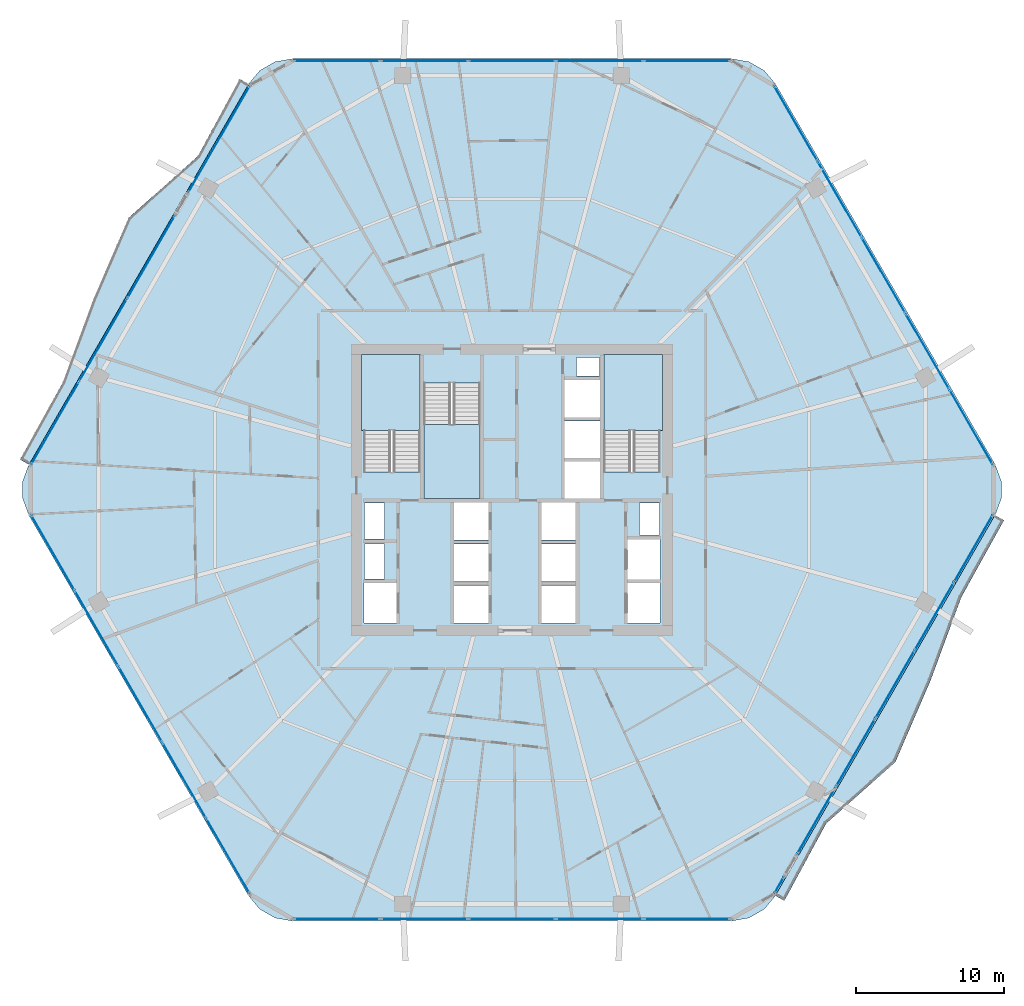
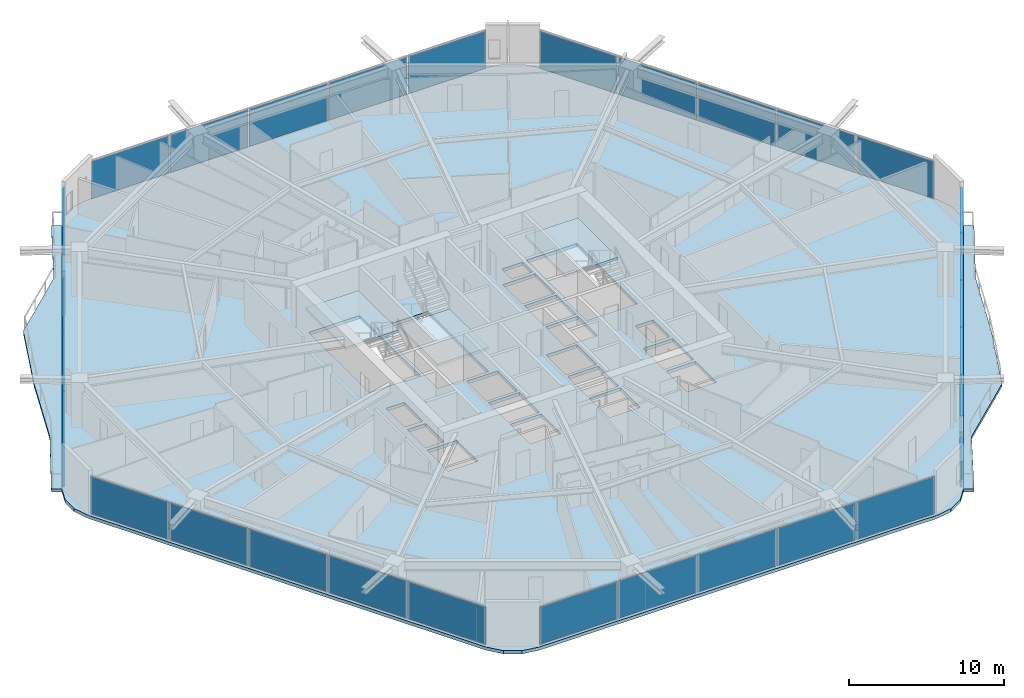
# One storey, part 23 of 33: 30 plates, 6 slabs, 11 elements without a shape of their own.
"""IFC4 building model written with IfcOpenShell, lengths in metres."""

from ifc_helpers import new_model, si_unit, direction, frame, origin, origin_2d, place, context, subcontext, project, spatial, polyline, rectangle, outline, extrude, material, layer, layer_set, type_object, element, aggregate, save


model = new_model("IFC4")

# Units and contexts
model_context = context("Model", 3, precision=1e-05, world=origin(), true_north=direction((0.0, 1.0)))
body_context = subcontext(model_context, "Body", "Model", "MODEL_VIEW")
ifc_project = project(units=[si_unit("LENGTHUNIT", "METRE"), si_unit("AREAUNIT", "SQUARE_METRE"), si_unit("VOLUMEUNIT", "CUBIC_METRE"), si_unit("PLANEANGLEUNIT", "RADIAN"), si_unit("MASSUNIT", "GRAM", prefix="KILO")], contexts=[model_context])

# Site, building, storey
site_placement = place(None, origin())
site = spatial("IfcSite", under=ifc_project, at=site_placement, CompositionType="ELEMENT")
building_placement = place(site_placement, origin())
building = spatial("IfcBuilding", under=site, at=building_placement, Name="Zuhravey Tower", CompositionType="ELEMENT")
storey_placement = place(building_placement, frame((0.0, 0.0, 96.199951171875)))
storey = spatial("IfcBuildingStorey", under=building, at=storey_placement, Name="L23", CompositionType="ELEMENT", Elevation=96.199951171875)

# Slabs
ifc_material_1 = material(Name="Concrete C50/60", Category="concrete")
ifc_layer_1 = layer(ifc_material_1, 0.25)
ifc_layer_set_1 = layer_set([ifc_layer_1], Name="Concrete C50/60")
slab_type_1 = type_object("IfcSlabType", Name="Residential Acoustic Slab 250", PredefinedType="FLOOR", material=ifc_layer_set_1)
slab_1_placement = place(storey_placement, frame((0.0, 0.0, -0.25)))
element("IfcSlab", 1, at=slab_1_placement, inside=storey, type_object=slab_type_1, Name="L23 Floor Slab FS25", PredefinedType="FLOOR", context=body_context, shape_type="SweptSolid", body=[
    extrude(outline(polyline([(68.618408203125, 30.300048828125), (69.0224609375, 31.40966796875), (69.0224609375, 32.59033203125), (68.618408203125, 33.699951171875), (53.781494140625, 59.3984375), (53.0224609375, 60.302978515625), (52.0, 60.893310546875), (50.8369140625, 61.098388671875), (21.1630859375, 61.098388671875), (20.0, 60.893310546875), (18.9775390625, 60.302978515625), (18.218505859375, 59.3984375), (3.381591796875, 33.699951171875), (2.9775390625, 32.59033203125), (2.9775390625, 31.40966796875), (3.381591796875, 30.300048828125), (18.218505859375, 4.6015625), (18.9775390625, 3.697021484375), (20.0, 3.106689453125), (21.1630859375, 2.901611328125), (50.8369140625, 2.901611328125), (52.0, 3.106689453125), (53.0224609375, 3.697021484375), (53.781494140625, 4.6015625), (68.618408203125, 30.300048828125)]), holes=[polyline([(29.800048828125, 33.20068359375), (29.800048828125, 41.0), (26.0, 41.0), (26.0, 33.20068359375), (29.800048828125, 33.20068359375)]), polyline([(46.0, 33.20068359375), (46.0, 41.0), (42.199951171875, 41.0), (42.199951171875, 33.20068359375), (46.0, 33.20068359375)]), polyline([(30.050048828125, 39.199462890625), (30.050048828125, 31.39990234375), (33.85009765625, 31.39990234375), (33.85009765625, 39.199462890625), (30.050048828125, 39.199462890625)]), polyline([(32.10009765625, 23.0), (34.39990234375, 23.0), (34.39990234375, 25.550048828125), (32.10009765625, 25.550048828125), (32.10009765625, 23.0)]), polyline([(32.10009765625, 25.800048828125), (34.39990234375, 25.800048828125), (34.39990234375, 28.35009765625), (32.10009765625, 28.35009765625), (32.10009765625, 25.800048828125)]), polyline([(32.10009765625, 28.60009765625), (34.39990234375, 28.60009765625), (34.39990234375, 31.14990234375), (32.10009765625, 31.14990234375), (32.10009765625, 28.60009765625)]), polyline([(38.0, 23.0), (40.300048828125, 23.0), (40.300048828125, 25.550048828125), (38.0, 25.550048828125), (38.0, 23.0)]), polyline([(38.0, 25.800048828125), (40.300048828125, 25.800048828125), (40.300048828125, 28.35009765625), (38.0, 28.35009765625), (38.0, 25.800048828125)]), polyline([(38.0, 28.60009765625), (40.300048828125, 28.60009765625), (40.300048828125, 31.14990234375), (38.0, 31.14990234375), (38.0, 28.60009765625)]), polyline([(39.550048828125, 31.39990234375), (41.949951171875, 31.39990234375), (41.949951171875, 33.89990234375), (39.550048828125, 33.89990234375), (39.550048828125, 31.39990234375)]), polyline([(39.550048828125, 34.14990234375), (41.949951171875, 34.14990234375), (41.949951171875, 36.64990234375), (39.550048828125, 36.64990234375), (39.550048828125, 34.14990234375)]), polyline([(39.550048828125, 36.89990234375), (41.949951171875, 36.89990234375), (41.949951171875, 39.39990234375), (39.550048828125, 39.39990234375), (39.550048828125, 36.89990234375)]), polyline([(26.0, 23.0), (28.199951171875, 23.0), (28.199951171875, 25.699951171875), (26.0, 25.699951171875), (26.0, 23.0)]), polyline([(43.800048828125, 23.0), (46.0, 23.0), (46.0, 25.699951171875), (43.800048828125, 25.699951171875), (43.800048828125, 23.0)]), polyline([(43.800048828125, 25.949951171875), (46.0, 25.949951171875), (46.0, 28.64990234375), (43.800048828125, 28.64990234375), (43.800048828125, 25.949951171875)]), polyline([(26.050048828125, 26.0), (27.39990234375, 26.0), (27.39990234375, 28.35009765625), (26.050048828125, 28.35009765625), (26.050048828125, 26.0)]), polyline([(26.050048828125, 28.699951171875), (27.39990234375, 28.699951171875), (27.39990234375, 31.10009765625), (26.050048828125, 31.10009765625), (26.050048828125, 28.699951171875)]), polyline([(44.60009765625, 28.949951171875), (45.949951171875, 28.949951171875), (45.949951171875, 31.10009765625), (44.60009765625, 31.10009765625), (44.60009765625, 28.949951171875)]), polyline([(40.35009765625, 39.699951171875), (41.89990234375, 39.699951171875), (41.89990234375, 40.949951171875), (40.35009765625, 40.949951171875), (40.35009765625, 39.699951171875)])]), origin(), (0.0, 0.0, 1.0), 0.25),
])
ifc_material_2 = material(Name="Concrete C40/50", Category="concrete")
ifc_layer_2 = layer(ifc_material_2, 0.219970703125)
ifc_layer_set_2 = layer_set([ifc_layer_2], Name="Concrete C40/50")
slab_type_2 = type_object("IfcSlabType", Name="Sinusoidal Residential Wave Balcony 220", PredefinedType="FLOOR", material=ifc_layer_set_2)
slab_2_placement = place(storey_placement, frame((0.0, 0.0, -0.219970703125)))
element("IfcSlab", 2, at=slab_2_placement, inside=storey, type_object=slab_type_2, Name="L23 Face 6 Wave Balcony WB22", PredefinedType="FLOOR", context=body_context, shape_type="SweptSolid", body=[
    extrude(outline(polyline([(53.772705078125, 4.616455078125), (68.601318359375, 30.300048828125), (69.20751953125, 29.949951171875), (66.328857421875, 24.762939453125), (64.241943359375, 19.118896484375), (61.876220703125, 13.6357421875), (57.20654296875, 9.48291015625), (54.37890625, 4.2666015625), (53.772705078125, 4.616455078125)])), origin(), (0.0, 0.0, 1.0), 0.219970703125),
])
slab_3_placement = place(storey_placement, frame((0.0, 0.0, -0.219970703125)))
element("IfcSlab", 3, at=slab_3_placement, inside=storey, type_object=slab_type_2, Name="L23 Face 3 Wave Balcony WB22", PredefinedType="FLOOR", context=body_context, shape_type="SweptSolid", body=[
    extrude(outline(polyline([(18.227294921875, 59.383544921875), (3.398681640625, 33.699951171875), (2.79248046875, 34.050048828125), (5.671142578125, 39.237060546875), (7.758056640625, 44.881103515625), (10.123779296875, 50.3642578125), (14.79345703125, 54.51708984375), (17.62109375, 59.7333984375), (18.227294921875, 59.383544921875)])), origin(), (0.0, 0.0, 1.0), 0.219970703125),
])

# Stair, slab
stair_type = type_object("IfcStairType", Name="Housing Storey Stair Assembly 3800", PredefinedType="HALF_TURN_STAIR", material=ifc_material_2)
stair_1_placement = place(storey_placement, origin())
stair_1 = element("IfcStair", 4, at=stair_1_placement, inside=storey, type_object=stair_type, Name="L23 Core Exit Stair ST1", PredefinedType="HALF_TURN_STAIR")
ifc_layer_3 = layer(ifc_material_2, 0.199951171875)
ifc_layer_set_3 = layer_set([ifc_layer_3], Name="Concrete C40/50")
slab_type_3 = type_object("IfcSlabType", Name="Stair Landing Slab 200", PredefinedType="LANDING", material=ifc_layer_set_3)
slab_4_placement = place(storey_placement, frame((0.0, 0.0, 1.699951171875)))
slab_4 = element("IfcSlab", 5, at=slab_4_placement, type_object=slab_type_3, Name="ST1 landing 1", PredefinedType="LANDING", context=body_context, shape_type="SweptSolid", body=[
    extrude(outline(polyline([(29.800048828125, 36.0), (29.800048828125, 41.14794921875), (25.85205078125, 41.14794921875), (25.85205078125, 36.0), (29.800048828125, 36.0)])), origin(), (0.0, 0.0, 1.0), 0.2001953125),
])
aggregate(stair_1, [slab_4])

stair_2_placement = place(storey_placement, origin())
stair_2 = element("IfcStair", 6, at=stair_2_placement, inside=storey, type_object=stair_type, Name="L23 Core Exit Stair ST2", PredefinedType="HALF_TURN_STAIR")
slab_5_placement = place(storey_placement, frame((0.0, 0.0, 1.699951171875)))
slab_5 = element("IfcSlab", 7, at=slab_5_placement, type_object=slab_type_3, Name="ST2 landing 1", PredefinedType="LANDING", context=body_context, shape_type="SweptSolid", body=[
    extrude(outline(polyline([(46.14794921875, 36.0), (46.14794921875, 41.14794921875), (42.199951171875, 41.14794921875), (42.199951171875, 36.0), (46.14794921875, 36.0)])), origin(), (0.0, 0.0, 1.0), 0.2001953125),
])
aggregate(stair_2, [slab_5])

stair_3_placement = place(storey_placement, origin())
stair_3 = element("IfcStair", 8, at=stair_3_placement, inside=storey, type_object=stair_type, Name="L23 Core Exit Stair ST3", PredefinedType="HALF_TURN_STAIR")
slab_6_placement = place(storey_placement, frame((0.0, 0.0, 1.699951171875)))
slab_6 = element("IfcSlab", 9, at=slab_6_placement, type_object=slab_type_3, Name="ST3 landing 1", PredefinedType="LANDING", context=body_context, shape_type="SweptSolid", body=[
    extrude(outline(polyline([(30.050048828125, 36.39990234375), (30.050048828125, 31.39990234375), (33.85009765625, 31.39990234375), (33.85009765625, 36.39990234375), (30.050048828125, 36.39990234375)])), origin(), (0.0, 0.0, 1.0), 0.2001953125),
])
aggregate(stair_3, [slab_6])

# Curtain wall, plates
ifc_material_3 = material(Name="Thermally broken anodised aluminium", Category="aluminium")
curtain_wall_type = type_object("IfcCurtainWallType", Name="Zone 1-2 Residential Curtain Wall CW3", PredefinedType="NOTDEFINED", material=ifc_material_3)
curtain_wall_1_placement = place(storey_placement, origin())
curtain_wall_1 = element("IfcCurtainWall", 10, at=curtain_wall_1_placement, inside=storey, type_object=curtain_wall_type, Name="L23 CW3 CW-L23-F6-1", PredefinedType="NOTDEFINED")
ifc_material_4 = material(Name="Triple low-E insulated vision glass", Category="glass")
ifc_layer_4 = layer(ifc_material_4, 0.0419921875)
ifc_layer_set_4 = layer_set([ifc_layer_4], Name="Triple low-E insulated vision glass")
plate_type = type_object("IfcPlateType", Name="Triple Low-E Vision Panel", PredefinedType="CURTAIN_PANEL", material=ifc_layer_set_4)
plate_1_placement = place(storey_placement, frame((67.14208984375, 28.022705078125, 0.090087890625), z_axis=(0.0, 0.0, 1.0), x_axis=(-0.500000171661, -0.866025304676, 0.0)))
plate_1 = element("IfcPlate", 11, at=plate_1_placement, type_object=plate_type, Name="CW3 panel 1.1", PredefinedType="CURTAIN_PANEL", context=body_context, shape_type="SweptSolid", body=[
    extrude(rectangle(XDim=5.165771484375, YDim=0.0419921875, at=origin_2d()), origin(), (0.0, 0.0, 1.0), 2.94189453125),
])
plate_2_placement = place(storey_placement, frame((64.5029296875, 23.451416015625, 0.090087890625), z_axis=(0.0, 0.0, 1.0), x_axis=(-0.500000171661, -0.866025304676, 0.0)))
plate_2 = element("IfcPlate", 12, at=plate_2_placement, type_object=plate_type, Name="CW3 panel 2.1", PredefinedType="CURTAIN_PANEL", context=body_context, shape_type="SweptSolid", body=[
    extrude(rectangle(XDim=5.2109375, YDim=0.0419921875, at=origin_2d()), origin(), (0.0, 0.0, 1.0), 2.94189453125),
])
plate_3_placement = place(storey_placement, frame((61.8525390625, 18.86083984375, 0.090087890625), z_axis=(0.0, 0.0, 1.0), x_axis=(-0.500000171661, -0.866025304676, 0.0)))
plate_3 = element("IfcPlate", 13, at=plate_3_placement, type_object=plate_type, Name="CW3 panel 3.1", PredefinedType="CURTAIN_PANEL", context=body_context, shape_type="SweptSolid", body=[
    extrude(rectangle(XDim=5.2109375, YDim=0.0419921875, at=origin_2d()), origin(), (0.0, 0.0, 1.0), 2.94189453125),
])
plate_4_placement = place(storey_placement, frame((59.2021484375, 14.270263671875, 0.090087890625), z_axis=(0.0, 0.0, 1.0), x_axis=(-0.500000171661, -0.866025304676, 0.0)))
plate_4 = element("IfcPlate", 14, at=plate_4_placement, type_object=plate_type, Name="CW3 panel 4.1", PredefinedType="CURTAIN_PANEL", context=body_context, shape_type="SweptSolid", body=[
    extrude(rectangle(XDim=5.2109375, YDim=0.0419921875, at=origin_2d()), origin(), (0.0, 0.0, 1.0), 2.94189453125),
])
plate_5_placement = place(storey_placement, frame((56.562744140625, 9.698974609375, 0.090087890625), z_axis=(0.0, 0.0, 1.0), x_axis=(-0.500000171661, -0.866025304676, 0.0)))
plate_5 = element("IfcPlate", 15, at=plate_5_placement, type_object=plate_type, Name="CW3 panel 5.1", PredefinedType="CURTAIN_PANEL", context=body_context, shape_type="SweptSolid", body=[
    extrude(rectangle(XDim=5.165771484375, YDim=0.0419921875, at=origin_2d()), origin(), (0.0, 0.0, 1.0), 2.94189453125),
])
aggregate(curtain_wall_1, [plate_1, plate_2, plate_3, plate_4, plate_5])

# Curtain wall, plate
curtain_wall_2_placement = place(storey_placement, origin())
curtain_wall_2 = element("IfcCurtainWall", 16, at=curtain_wall_2_placement, inside=storey, type_object=curtain_wall_type, Name="L23 CW3 CW-L23-F6-2", PredefinedType="NOTDEFINED")
plate_6_placement = place(storey_placement, frame((54.027587890625, 5.307861328125, 0.090087890625), z_axis=(0.0, 0.0, 1.0), x_axis=(-0.500010006894, -0.866019626224, 0.0)))
plate_6 = element("IfcPlate", 17, at=plate_6_placement, type_object=plate_type, Name="CW3 panel 1.1", PredefinedType="CURTAIN_PANEL", context=body_context, shape_type="SweptSolid", body=[
    extrude(rectangle(XDim=1.21484375, YDim=0.0419921875, at=origin_2d()), origin(), (0.0, 0.0, 1.0), 2.94189453125),
])
aggregate(curtain_wall_2, [plate_6])

# Curtain wall, plates
curtain_wall_3_placement = place(storey_placement, origin())
curtain_wall_3 = element("IfcCurtainWall", 18, at=curtain_wall_3_placement, inside=storey, type_object=curtain_wall_type, Name="L23 CW3 CW-L23-F5-1", PredefinedType="NOTDEFINED")
plate_7_placement = place(storey_placement, frame((47.817138671875, 3.04150390625, 0.090087890625), z_axis=(0.0, 0.0, 1.0), x_axis=(-1.0, 0.0, 0.0)))
plate_7 = element("IfcPlate", 19, at=plate_7_placement, type_object=plate_type, Name="CW3 panel 1.1", PredefinedType="CURTAIN_PANEL", context=body_context, shape_type="SweptSolid", body=[
    extrude(rectangle(XDim=5.784912109375, YDim=0.0419921875, at=origin_2d()), origin(), (0.0, 0.0, 1.0), 2.94189453125),
])
plate_8_placement = place(storey_placement, frame((41.919921875, 3.04150390625, 0.090087890625), z_axis=(0.0, 0.0, 1.0), x_axis=(-1.0, 0.0, 0.0)))
plate_8 = element("IfcPlate", 20, at=plate_8_placement, type_object=plate_type, Name="CW3 panel 2.1", PredefinedType="CURTAIN_PANEL", context=body_context, shape_type="SweptSolid", body=[
    extrude(rectangle(XDim=5.829833984375, YDim=0.0419921875, at=origin_2d()), origin(), (0.0, 0.0, 1.0), 2.94189453125),
])
plate_9_placement = place(storey_placement, frame((36.0, 3.04150390625, 0.090087890625), z_axis=(0.0, 0.0, 1.0), x_axis=(-1.0, 0.0, 0.0)))
plate_9 = element("IfcPlate", 21, at=plate_9_placement, type_object=plate_type, Name="CW3 panel 3.1", PredefinedType="CURTAIN_PANEL", context=body_context, shape_type="SweptSolid", body=[
    extrude(rectangle(XDim=5.829833984375, YDim=0.0419921875, at=origin_2d()), origin(), (0.0, 0.0, 1.0), 2.94189453125),
])
plate_10_placement = place(storey_placement, frame((30.080078125, 3.04150390625, 0.090087890625), z_axis=(0.0, 0.0, 1.0), x_axis=(-1.0, 0.0, 0.0)))
plate_10 = element("IfcPlate", 22, at=plate_10_placement, type_object=plate_type, Name="CW3 panel 4.1", PredefinedType="CURTAIN_PANEL", context=body_context, shape_type="SweptSolid", body=[
    extrude(rectangle(XDim=5.829833984375, YDim=0.0419921875, at=origin_2d()), origin(), (0.0, 0.0, 1.0), 2.94189453125),
])
plate_11_placement = place(storey_placement, frame((24.182861328125, 3.04150390625, 0.090087890625), z_axis=(0.0, 0.0, 1.0), x_axis=(-1.0, 0.0, 0.0)))
plate_11 = element("IfcPlate", 23, at=plate_11_placement, type_object=plate_type, Name="CW3 panel 5.1", PredefinedType="CURTAIN_PANEL", context=body_context, shape_type="SweptSolid", body=[
    extrude(rectangle(XDim=5.784912109375, YDim=0.0419921875, at=origin_2d()), origin(), (0.0, 0.0, 1.0), 2.94189453125),
])
aggregate(curtain_wall_3, [plate_7, plate_8, plate_9, plate_10, plate_11])

curtain_wall_4_placement = place(storey_placement, origin())
curtain_wall_4 = element("IfcCurtainWall", 24, at=curtain_wall_4_placement, inside=storey, type_object=curtain_wall_type, Name="L23 CW3 CW-L23-F4-1", PredefinedType="NOTDEFINED")
plate_12_placement = place(storey_placement, frame((16.829833984375, 7.286865234375, 0.090087890625), z_axis=(0.0, 0.0, 1.0), x_axis=(-0.499999794119, 0.86602552265, 0.0)))
plate_12 = element("IfcPlate", 25, at=plate_12_placement, type_object=plate_type, Name="CW3 panel 1.1", PredefinedType="CURTAIN_PANEL", context=body_context, shape_type="SweptSolid", body=[
    extrude(rectangle(XDim=5.784912109375, YDim=0.0419921875, at=origin_2d()), origin(), (0.0, 0.0, 1.0), 2.94189453125),
])
plate_13_placement = place(storey_placement, frame((13.881103515625, 12.39404296875, 0.090087890625), z_axis=(0.0, 0.0, 1.0), x_axis=(-0.499999794119, 0.86602552265, 0.0)))
plate_13 = element("IfcPlate", 26, at=plate_13_placement, type_object=plate_type, Name="CW3 panel 2.1", PredefinedType="CURTAIN_PANEL", context=body_context, shape_type="SweptSolid", body=[
    extrude(rectangle(XDim=5.829833984375, YDim=0.0419921875, at=origin_2d()), origin(), (0.0, 0.0, 1.0), 2.94189453125),
])
plate_14_placement = place(storey_placement, frame((10.921142578125, 17.520751953125, 0.090087890625), z_axis=(0.0, 0.0, 1.0), x_axis=(-0.499999794119, 0.86602552265, 0.0)))
plate_14 = element("IfcPlate", 27, at=plate_14_placement, type_object=plate_type, Name="CW3 panel 3.1", PredefinedType="CURTAIN_PANEL", context=body_context, shape_type="SweptSolid", body=[
    extrude(rectangle(XDim=5.829833984375, YDim=0.0419921875, at=origin_2d()), origin(), (0.0, 0.0, 1.0), 2.94189453125),
])
plate_15_placement = place(storey_placement, frame((7.96142578125, 22.6474609375, 0.090087890625), z_axis=(0.0, 0.0, 1.0), x_axis=(-0.499999794119, 0.86602552265, 0.0)))
plate_15 = element("IfcPlate", 28, at=plate_15_placement, type_object=plate_type, Name="CW3 panel 4.1", PredefinedType="CURTAIN_PANEL", context=body_context, shape_type="SweptSolid", body=[
    extrude(rectangle(XDim=5.829833984375, YDim=0.0419921875, at=origin_2d()), origin(), (0.0, 0.0, 1.0), 2.94189453125),
])
plate_16_placement = place(storey_placement, frame((5.0126953125, 27.754638671875, 0.090087890625), z_axis=(0.0, 0.0, 1.0), x_axis=(-0.499999794119, 0.86602552265, 0.0)))
plate_16 = element("IfcPlate", 29, at=plate_16_placement, type_object=plate_type, Name="CW3 panel 5.1", PredefinedType="CURTAIN_PANEL", context=body_context, shape_type="SweptSolid", body=[
    extrude(rectangle(XDim=5.784912109375, YDim=0.0419921875, at=origin_2d()), origin(), (0.0, 0.0, 1.0), 2.94189453125),
])
aggregate(curtain_wall_4, [plate_12, plate_13, plate_14, plate_15, plate_16])

curtain_wall_5_placement = place(storey_placement, origin())
curtain_wall_5 = element("IfcCurtainWall", 30, at=curtain_wall_5_placement, inside=storey, type_object=curtain_wall_type, Name="L23 CW3 CW-L23-F3-1", PredefinedType="NOTDEFINED")
plate_17_placement = place(storey_placement, frame((5.15771484375, 36.49658203125, 0.090087890625), z_axis=(0.0, 0.0, 1.0), x_axis=(0.50000049228, 0.866025119566, 0.0)))
plate_17 = element("IfcPlate", 31, at=plate_17_placement, type_object=plate_type, Name="CW3 panel 1.1", PredefinedType="CURTAIN_PANEL", context=body_context, shape_type="SweptSolid", body=[
    extrude(rectangle(XDim=6.364990234375, YDim=0.0419921875, at=origin_2d()), origin(), (0.0, 0.0, 1.0), 2.94189453125),
])
plate_18_placement = place(storey_placement, frame((8.396484375, 42.106201171875, 0.090087890625), z_axis=(0.0, 0.0, 1.0), x_axis=(0.50000049228, 0.866025119566, 0.0)))
plate_18 = element("IfcPlate", 32, at=plate_18_placement, type_object=plate_type, Name="CW3 panel 2.1", PredefinedType="CURTAIN_PANEL", context=body_context, shape_type="SweptSolid", body=[
    extrude(rectangle(XDim=6.409912109375, YDim=0.0419921875, at=origin_2d()), origin(), (0.0, 0.0, 1.0), 2.94189453125),
])
plate_19_placement = place(storey_placement, frame((11.63525390625, 47.7158203125, 0.090087890625), z_axis=(0.0, 0.0, 1.0), x_axis=(0.50000049228, 0.866025119566, 0.0)))
plate_19 = element("IfcPlate", 33, at=plate_19_placement, type_object=plate_type, Name="CW3 panel 3.1", PredefinedType="CURTAIN_PANEL", context=body_context, shape_type="SweptSolid", body=[
    extrude(rectangle(XDim=6.364990234375, YDim=0.0419921875, at=origin_2d()), origin(), (0.0, 0.0, 1.0), 2.94189453125),
])
aggregate(curtain_wall_5, [plate_17, plate_18, plate_19])

# Curtain wall, plate
curtain_wall_6_placement = place(storey_placement, origin())
curtain_wall_6 = element("IfcCurtainWall", 34, at=curtain_wall_6_placement, inside=storey, type_object=curtain_wall_type, Name="L23 CW3 CW-L23-F3-2", PredefinedType="NOTDEFINED")
plate_20_placement = place(storey_placement, frame((16.22119140625, 55.658935546875, 0.090087890625), z_axis=(0.0, 0.0, 1.0), x_axis=(0.500001060543, 0.866024791479, 0.0)))
plate_20 = element("IfcPlate", 35, at=plate_20_placement, type_object=plate_type, Name="CW3 panel 1.1", PredefinedType="CURTAIN_PANEL", context=body_context, shape_type="SweptSolid", body=[
    extrude(rectangle(XDim=8.21923828125, YDim=0.0419921875, at=origin_2d()), origin(), (0.0, 0.0, 1.0), 2.94189453125),
])
aggregate(curtain_wall_6, [plate_20])

# Curtain wall, plates
curtain_wall_7_placement = place(storey_placement, origin())
curtain_wall_7 = element("IfcCurtainWall", 36, at=curtain_wall_7_placement, inside=storey, type_object=curtain_wall_type, Name="L23 CW3 CW-L23-F2-1", PredefinedType="NOTDEFINED")
plate_21_placement = place(storey_placement, frame((24.182861328125, 60.95849609375, 0.090087890625), z_axis=(0.0, 0.0, 1.0), x_axis=(1.0, 0.0, 0.0)))
plate_21 = element("IfcPlate", 37, at=plate_21_placement, type_object=plate_type, Name="CW3 panel 1.1", PredefinedType="CURTAIN_PANEL", context=body_context, shape_type="SweptSolid", body=[
    extrude(rectangle(XDim=5.784912109375, YDim=0.0419921875, at=origin_2d()), origin(), (0.0, 0.0, 1.0), 2.94189453125),
])
plate_22_placement = place(storey_placement, frame((30.080078125, 60.95849609375, 0.090087890625), z_axis=(0.0, 0.0, 1.0), x_axis=(1.0, 0.0, 0.0)))
plate_22 = element("IfcPlate", 38, at=plate_22_placement, type_object=plate_type, Name="CW3 panel 2.1", PredefinedType="CURTAIN_PANEL", context=body_context, shape_type="SweptSolid", body=[
    extrude(rectangle(XDim=5.829833984375, YDim=0.0419921875, at=origin_2d()), origin(), (0.0, 0.0, 1.0), 2.94189453125),
])
plate_23_placement = place(storey_placement, frame((36.0, 60.95849609375, 0.090087890625), z_axis=(0.0, 0.0, 1.0), x_axis=(1.0, 0.0, 0.0)))
plate_23 = element("IfcPlate", 39, at=plate_23_placement, type_object=plate_type, Name="CW3 panel 3.1", PredefinedType="CURTAIN_PANEL", context=body_context, shape_type="SweptSolid", body=[
    extrude(rectangle(XDim=5.829833984375, YDim=0.0419921875, at=origin_2d()), origin(), (0.0, 0.0, 1.0), 2.94189453125),
])
plate_24_placement = place(storey_placement, frame((41.919921875, 60.95849609375, 0.090087890625), z_axis=(0.0, 0.0, 1.0), x_axis=(1.0, 0.0, 0.0)))
plate_24 = element("IfcPlate", 40, at=plate_24_placement, type_object=plate_type, Name="CW3 panel 4.1", PredefinedType="CURTAIN_PANEL", context=body_context, shape_type="SweptSolid", body=[
    extrude(rectangle(XDim=5.829833984375, YDim=0.0419921875, at=origin_2d()), origin(), (0.0, 0.0, 1.0), 2.94189453125),
])
plate_25_placement = place(storey_placement, frame((47.817138671875, 60.95849609375, 0.090087890625), z_axis=(0.0, 0.0, 1.0), x_axis=(1.0, 0.0, 0.0)))
plate_25 = element("IfcPlate", 41, at=plate_25_placement, type_object=plate_type, Name="CW3 panel 5.1", PredefinedType="CURTAIN_PANEL", context=body_context, shape_type="SweptSolid", body=[
    extrude(rectangle(XDim=5.784912109375, YDim=0.0419921875, at=origin_2d()), origin(), (0.0, 0.0, 1.0), 2.94189453125),
])
aggregate(curtain_wall_7, [plate_21, plate_22, plate_23, plate_24, plate_25])

curtain_wall_8_placement = place(storey_placement, origin())
curtain_wall_8 = element("IfcCurtainWall", 42, at=curtain_wall_8_placement, inside=storey, type_object=curtain_wall_type, Name="L23 CW3 CW-L23-F1-1", PredefinedType="NOTDEFINED")
plate_26_placement = place(storey_placement, frame((55.170166015625, 56.713134765625, 0.090087890625), z_axis=(0.0, 0.0, 1.0), x_axis=(0.499999794119, -0.86602552265, 0.0)))
plate_26 = element("IfcPlate", 43, at=plate_26_placement, type_object=plate_type, Name="CW3 panel 1.1", PredefinedType="CURTAIN_PANEL", context=body_context, shape_type="SweptSolid", body=[
    extrude(rectangle(XDim=5.784912109375, YDim=0.0419921875, at=origin_2d()), origin(), (0.0, 0.0, 1.0), 2.94189453125),
])
plate_27_placement = place(storey_placement, frame((58.118896484375, 51.60595703125, 0.090087890625), z_axis=(0.0, 0.0, 1.0), x_axis=(0.499999794119, -0.86602552265, 0.0)))
plate_27 = element("IfcPlate", 44, at=plate_27_placement, type_object=plate_type, Name="CW3 panel 2.1", PredefinedType="CURTAIN_PANEL", context=body_context, shape_type="SweptSolid", body=[
    extrude(rectangle(XDim=5.829833984375, YDim=0.0419921875, at=origin_2d()), origin(), (0.0, 0.0, 1.0), 2.94189453125),
])
plate_28_placement = place(storey_placement, frame((61.078857421875, 46.479248046875, 0.090087890625), z_axis=(0.0, 0.0, 1.0), x_axis=(0.499999794119, -0.86602552265, 0.0)))
plate_28 = element("IfcPlate", 45, at=plate_28_placement, type_object=plate_type, Name="CW3 panel 3.1", PredefinedType="CURTAIN_PANEL", context=body_context, shape_type="SweptSolid", body=[
    extrude(rectangle(XDim=5.829833984375, YDim=0.0419921875, at=origin_2d()), origin(), (0.0, 0.0, 1.0), 2.94189453125),
])
plate_29_placement = place(storey_placement, frame((64.03857421875, 41.3525390625, 0.090087890625), z_axis=(0.0, 0.0, 1.0), x_axis=(0.499999794119, -0.86602552265, 0.0)))
plate_29 = element("IfcPlate", 46, at=plate_29_placement, type_object=plate_type, Name="CW3 panel 4.1", PredefinedType="CURTAIN_PANEL", context=body_context, shape_type="SweptSolid", body=[
    extrude(rectangle(XDim=5.829833984375, YDim=0.0419921875, at=origin_2d()), origin(), (0.0, 0.0, 1.0), 2.94189453125),
])
plate_30_placement = place(storey_placement, frame((66.9873046875, 36.245361328125, 0.090087890625), z_axis=(0.0, 0.0, 1.0), x_axis=(0.499999794119, -0.86602552265, 0.0)))
plate_30 = element("IfcPlate", 47, at=plate_30_placement, type_object=plate_type, Name="CW3 panel 5.1", PredefinedType="CURTAIN_PANEL", context=body_context, shape_type="SweptSolid", body=[
    extrude(rectangle(XDim=5.784912109375, YDim=0.0419921875, at=origin_2d()), origin(), (0.0, 0.0, 1.0), 2.94189453125),
])
aggregate(curtain_wall_8, [plate_26, plate_27, plate_28, plate_29, plate_30])

save(model, "model.ifc")
